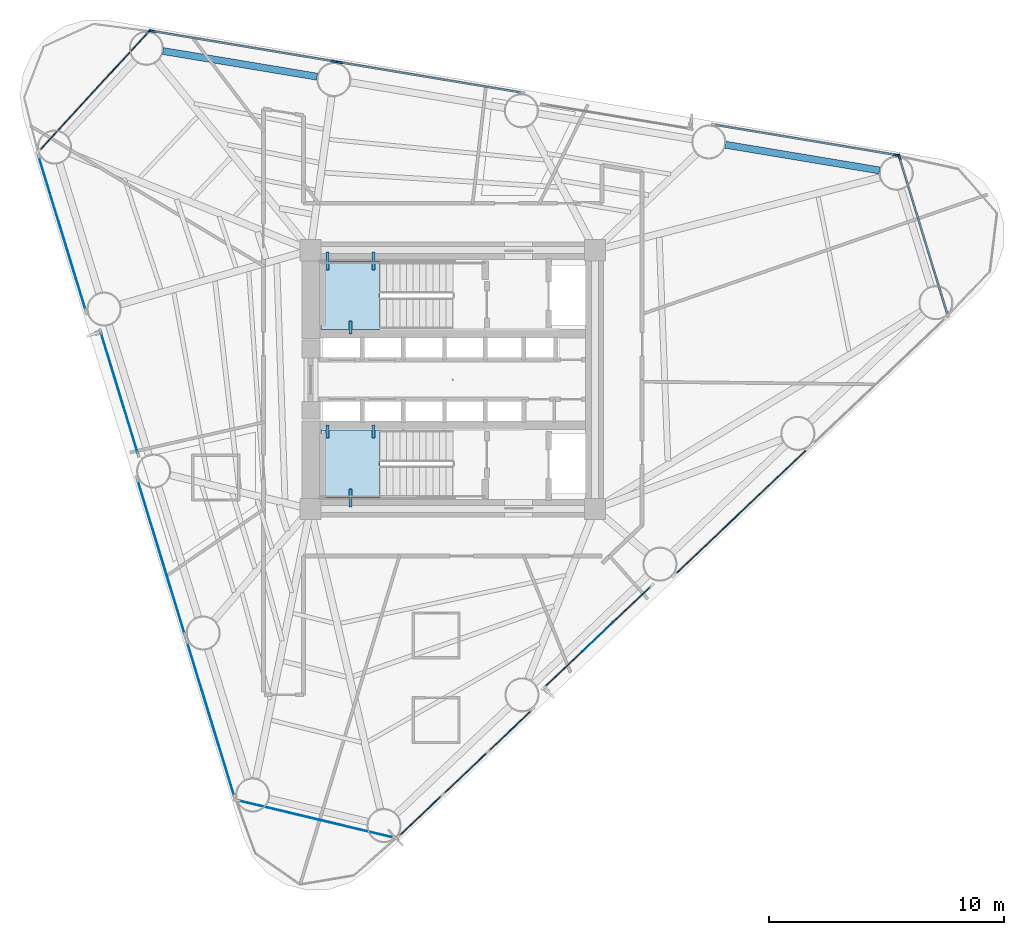
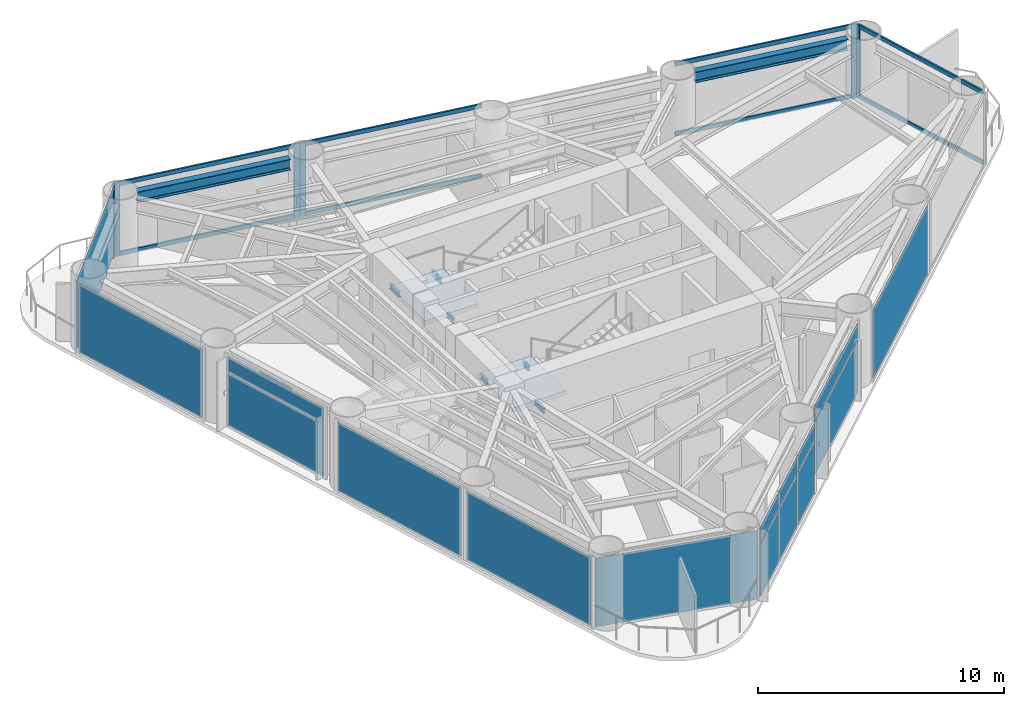
# One storey, part 4 of 10: 18 plates, 14 members, 8 beams, 2 slabs, 15 elements without a shape of their own.
"""IFC4 building model written with IfcOpenShell, lengths in metres."""

from ifc_helpers import new_model, si_unit, direction, frame, origin, origin_2d, place, context, subcontext, project, spatial, polyline, rectangle, i_section, outline, extrude, source, transform, mapped, material, layer, layer_set, material_profile, profile_set, type_object, element, aggregate, save


model = new_model("IFC4")

# Units and contexts
model_context = context("Model", 3, precision=1e-05, world=origin(), true_north=direction((0.0, 1.0)))
body_context = subcontext(model_context, "Body", "Model", "MODEL_VIEW")
ifc_project = project(units=[si_unit("LENGTHUNIT", "METRE"), si_unit("AREAUNIT", "SQUARE_METRE"), si_unit("VOLUMEUNIT", "CUBIC_METRE"), si_unit("PLANEANGLEUNIT", "RADIAN"), si_unit("MASSUNIT", "GRAM", prefix="KILO")], contexts=[model_context])

# Site, building, storey
site_placement = place(None, origin())
site = spatial("IfcSite", under=ifc_project, at=site_placement, CompositionType="ELEMENT")
building_placement = place(site_placement, origin())
building = spatial("IfcBuilding", under=site, at=building_placement, Name="Yunling Apex Tower", CompositionType="ELEMENT")
storey_placement = place(building_placement, frame((0.0, 0.0, 89.89990234375)))
storey = spatial("IfcBuildingStorey", under=building, at=storey_placement, Name="L22", CompositionType="ELEMENT", Elevation=89.89990234375)

# Beams
ifc_material_1 = material(Name="Steel Q355B", Category="steel")
ifc_material_profile_1 = material_profile(ifc_material_1, i_section(OverallWidth=0.125, OverallDepth=0.25, WebThickness=0.006103515625, FlangeThickness=0.009033203125, FilletRadius=0.011962890625, at=origin_2d()))
ifc_profile_set_1 = profile_set([ifc_material_profile_1], Name="Steel Q355B")
beam_type_1 = type_object("IfcBeamType", Name="BL-LNT-1", PredefinedType="LINTEL", material=ifc_profile_set_1)
shared_shape_1 = source(origin(), body_context, "Body", "SweptSolid", [
    extrude(i_section(OverallWidth=0.125, OverallDepth=0.25, WebThickness=0.006103515625, FlangeThickness=0.009033203125, FilletRadius=0.011962890625, at=origin_2d()), origin(), (0.0, 0.0, 1.0), 0.760009765625),
])
for number, where, z_axis, x_axis, name in (
    (1, (-5.320068359375, 5.419921875, 1.55517578125), (0.0, -1.0, 0.0), (1.0, 0.0, 0.0), "L22 ST-1 Landing Bearing Corbel 1-1"),
    (2, (-3.3701171875, 5.419921875, 1.55517578125), (0.0, -1.0, 0.0), (1.0, 0.0, 0.0), "L22 ST-1 Landing Bearing Corbel 1-2"),
    (3, (-4.344970703125, -5.419921875, 1.55517578125), (0.0, 1.0, 0.0), (-1.0, 0.0, 0.0), "L22 ST-2 Landing Bearing Corbel 1-3"),
):
    element("IfcBeam", number, at=place(storey_placement, frame(where, z_axis=z_axis, x_axis=x_axis)), inside=storey, type_object=beam_type_1, Name=name, PredefinedType="LINTEL", context=body_context, shape_type="MappedRepresentation", body=[
        mapped(shared_shape_1, transform((0.0, 0.0, 0.0), scale=1.0)),
    ])
shared_shape_2 = source(origin(), body_context, "Body", "SweptSolid", [
    extrude(i_section(OverallWidth=0.125, OverallDepth=0.25, WebThickness=0.006103515625, FlangeThickness=0.009033203125, FilletRadius=0.011962890625, at=origin_2d()), origin(), (0.0, 0.0, 1.0), 0.550048828125),
])
for number, where, z_axis, x_axis, name in (
    (4, (-4.344970703125, 1.93994140625, 1.55517578125), (0.0, 1.0, 0.0), (-1.0, 0.0, 0.0), "L22 ST-1 Landing Bearing Corbel 1-3"),
    (5, (-5.320068359375, -1.93994140625, 1.55517578125), (0.0, -1.0, 0.0), (1.0, 0.0, 0.0), "L22 ST-2 Landing Bearing Corbel 1-1"),
    (6, (-3.3701171875, -1.93994140625, 1.55517578125), (0.0, -1.0, 0.0), (1.0, 0.0, 0.0), "L22 ST-2 Landing Bearing Corbel 1-2"),
):
    element("IfcBeam", number, at=place(storey_placement, frame(where, z_axis=z_axis, x_axis=x_axis)), inside=storey, type_object=beam_type_1, Name=name, PredefinedType="LINTEL", context=body_context, shape_type="MappedRepresentation", body=[
        mapped(shared_shape_2, transform((0.0, 0.0, 0.0), scale=1.0)),
    ])
ifc_material_profile_2 = material_profile(ifc_material_1, i_section(OverallWidth=0.300048828125, OverallDepth=0.5400390625, WebThickness=0.011962890625, FlangeThickness=0.02001953125, FilletRadius=0.02392578125, at=origin_2d()))
ifc_profile_set_2 = profile_set([ifc_material_profile_2], Name="Steel Q355B")
beam_type_2 = type_object("IfcBeamType", Name="BP-SPN-1", PredefinedType="SPANDREL", material=ifc_profile_set_2)
shared_shape_3 = source(origin(), body_context, "Body", "SweptSolid", [
    extrude(i_section(OverallWidth=0.300048828125, OverallDepth=0.5400390625, WebThickness=0.011962890625, FlangeThickness=0.02001953125, FilletRadius=0.02392578125, at=origin_2d()), origin(), (0.0, 0.0, 1.0), 6.641845703125),
])
for number, where, z_axis, x_axis, name in (
    (7, (18.14599609375, 8.89111328125, 3.295166015625), (-0.986396904036, 0.164381105081, 0.0), (-0.164381105081, -0.986396904036, 0.0), "L22 Perimeter Spandrel Beam 6"),
    (8, (-5.763671875, 12.875244140625, 3.295166015625), (-0.986402863526, 0.164345340146, 0.0), (-0.164345340146, -0.986402863526, 0.0), "L22 Perimeter Spandrel Beam 9"),
):
    element("IfcBeam", number, at=place(storey_placement, frame(where, z_axis=z_axis, x_axis=x_axis)), inside=storey, type_object=beam_type_2, Name=name, PredefinedType="SPANDREL", context=body_context, shape_type="MappedRepresentation", body=[
        mapped(shared_shape_3, transform((0.0, 0.0, 0.0), scale=1.0)),
    ])

# Curtain wall, member
ifc_material_2 = material(Name="Bronze anodised aluminium", Category="aluminium")
ifc_layer_1 = layer(ifc_material_2, 0.260009765625)
ifc_layer_set_1 = layer_set([ifc_layer_1], Name="Bronze anodised aluminium")
curtain_wall_type = type_object("IfcCurtainWallType", Name="CW-SYS-2", PredefinedType="NOTDEFINED", material=ifc_layer_set_1)
curtain_wall_1_placement = place(storey_placement, origin())
curtain_wall_1 = element("IfcCurtainWall", 9, at=curtain_wall_1_placement, inside=storey, type_object=curtain_wall_type, Name="CW-L22-CRN1", PredefinedType="NOTDEFINED")
ifc_material_profile_3 = material_profile(ifc_material_2, rectangle(XDim=0.0849609375, YDim=0.260009765625, at=origin_2d()))
ifc_profile_set_3 = profile_set([ifc_material_profile_3], Name="Bronze anodised aluminium")
member_type_1 = type_object("IfcMemberType", Name="CW-MUL-2", PredefinedType="MULLION", material=ifc_profile_set_3)
shared_shape_4 = source(origin(), body_context, "Body", "SweptSolid", [
    extrude(rectangle(XDim=0.0849609375, YDim=0.260009765625, at=origin_2d()), origin(), (0.0, 0.0, 1.0), 3.664794921875),
])
member_1_placement = place(storey_placement, frame((18.9892578125, 9.46240234375, -0.0498046875), z_axis=(0.0, 0.0, 1.0), x_axis=(-0.95630374567, -0.292375009223, 0.0)))
member_1 = element("IfcMember", 10, at=member_1_placement, type_object=member_type_1, Name="CW-SYS-2 mullion 2", PredefinedType="MULLION", context=body_context, shape_type="MappedRepresentation", body=[
    mapped(shared_shape_4, transform((0.0, 0.0, 0.0), scale=1.0)),
])

curtain_wall_2_placement = place(storey_placement, origin())
curtain_wall_2 = element("IfcCurtainWall", 11, at=curtain_wall_2_placement, inside=storey, type_object=curtain_wall_type, Name="CW-L22-F2-B1", PredefinedType="NOTDEFINED")
member_2_placement = place(storey_placement, frame((18.859375, 9.54296875, -0.0498046875), z_axis=(0.0, 0.0, 1.0), x_axis=(-0.16436008369, -0.98640040698, 0.0)))
member_2 = element("IfcMember", 12, at=member_2_placement, type_object=member_type_1, Name="CW-SYS-2 mullion 1", PredefinedType="MULLION", context=body_context, shape_type="MappedRepresentation", body=[
    mapped(shared_shape_4, transform((0.0, 0.0, 0.0), scale=1.0)),
])

curtain_wall_3_placement = place(storey_placement, origin())
curtain_wall_3 = element("IfcCurtainWall", 13, at=curtain_wall_3_placement, inside=storey, type_object=curtain_wall_type, Name="CW-L22-F2-B3", PredefinedType="NOTDEFINED")
member_3_placement = place(storey_placement, frame((-4.80859375, 13.486572265625, -0.0498046875), z_axis=(0.0, 0.0, 1.0), x_axis=(-0.164362130784, -0.986400065878, 0.0)))
member_3 = element("IfcMember", 14, at=member_3_placement, type_object=member_type_1, Name="CW-SYS-2 mullion 2", PredefinedType="MULLION", context=body_context, shape_type="MappedRepresentation", body=[
    mapped(shared_shape_4, transform((0.0, 0.0, 0.0), scale=1.0)),
])

# Curtain wall, members
curtain_wall_4_placement = place(storey_placement, origin())
curtain_wall_4 = element("IfcCurtainWall", 15, at=curtain_wall_4_placement, inside=storey, type_object=curtain_wall_type, Name="CW-L22-F2-B4", PredefinedType="NOTDEFINED")
member_4_placement = place(storey_placement, frame((-5.05029296875, 13.52685546875, -0.0498046875), z_axis=(0.0, 0.0, 1.0), x_axis=(-0.16436008369, -0.98640040698, 0.0)))
member_4 = element("IfcMember", 16, at=member_4_placement, type_object=member_type_1, Name="CW-SYS-2 mullion 1", PredefinedType="MULLION", context=body_context, shape_type="MappedRepresentation", body=[
    mapped(shared_shape_4, transform((0.0, 0.0, 0.0), scale=1.0)),
])
member_5_placement = place(storey_placement, frame((-12.778564453125, 14.814697265625, -0.0498046875), z_axis=(0.0, 0.0, 1.0), x_axis=(-0.16436008369, -0.98640040698, 0.0)))
member_5 = element("IfcMember", 17, at=member_5_placement, type_object=member_type_1, Name="CW-SYS-2 mullion 2", PredefinedType="MULLION", context=body_context, shape_type="MappedRepresentation", body=[
    mapped(shared_shape_4, transform((0.0, 0.0, 0.0), scale=1.0)),
])

# Curtain wall, member
curtain_wall_5_placement = place(storey_placement, origin())
curtain_wall_5 = element("IfcCurtainWall", 18, at=curtain_wall_5_placement, inside=storey, type_object=curtain_wall_type, Name="CW-L22-CRN2", PredefinedType="NOTDEFINED")
member_6_placement = place(storey_placement, frame((-12.931396484375, 14.78369140625, -0.0498046875), z_axis=(0.0, 0.0, 1.0), x_axis=(0.736184624933, -0.676780760669, 0.0)))
member_6 = element("IfcMember", 19, at=member_6_placement, type_object=member_type_1, Name="CW-SYS-2 mullion 1", PredefinedType="MULLION", context=body_context, shape_type="MappedRepresentation", body=[
    mapped(shared_shape_4, transform((0.0, 0.0, 0.0), scale=1.0)),
])

# Member
ifc_material_profile_4 = material_profile(ifc_material_2, rectangle(XDim=0.0849609375, YDim=0.199951171875, at=origin_2d()))
ifc_profile_set_4 = profile_set([ifc_material_profile_4], Name="Bronze anodised aluminium")
member_type_2 = type_object("IfcMemberType", Name="CW-TRN-2", PredefinedType="USERDEFINED", material=ifc_profile_set_4)
shared_shape_5 = source(origin(), body_context, "Body", "SweptSolid", [
    extrude(rectangle(XDim=0.0849609375, YDim=0.199951171875, at=origin_2d()), origin(), (0.0, 0.0, 1.0), 7.75830078125),
])
member_7_placement = place(storey_placement, frame((18.821533203125, 9.549072265625, 0.04248046875), z_axis=(-0.986400726912, 0.164358163615, 0.0), x_axis=(-0.164358163615, -0.986400726912, 0.0)))
member_7 = element("IfcMember", 20, at=member_7_placement, type_object=member_type_2, Name="CW-SYS-2 transom 1.1", ObjectType="TRANSOM", PredefinedType="USERDEFINED", context=body_context, shape_type="MappedRepresentation", body=[
    mapped(shared_shape_5, transform((0.0, 0.0, 0.0), scale=1.0)),
])

member_8_placement = place(storey_placement, frame((18.821533203125, 9.549072265625, 3.522705078125), z_axis=(-0.986400726912, 0.164358163615, 0.0), x_axis=(-0.164358163615, -0.986400726912, 0.0)))
member_8 = element("IfcMember", 21, at=member_8_placement, type_object=member_type_2, Name="CW-SYS-2 transom 1.2", ObjectType="TRANSOM", PredefinedType="USERDEFINED", context=body_context, shape_type="MappedRepresentation", body=[
    mapped(shared_shape_5, transform((0.0, 0.0, 0.0), scale=1.0)),
])

aggregate(curtain_wall_2, [member_2, member_7, member_8])

member_9_placement = place(storey_placement, frame((2.8818359375, 12.205078125, 0.04248046875), z_axis=(-0.986400726912, 0.164358163615, 0.0), x_axis=(-0.164358163615, -0.986400726912, 0.0)))
member_9 = element("IfcMember", 22, at=member_9_placement, type_object=member_type_2, Name="CW-SYS-2 transom 1.1", ObjectType="TRANSOM", PredefinedType="USERDEFINED", context=body_context, shape_type="MappedRepresentation", body=[
    mapped(shared_shape_5, transform((0.0, 0.0, 0.0), scale=1.0)),
])

member_10_placement = place(storey_placement, frame((2.8818359375, 12.205078125, 3.522705078125), z_axis=(-0.986400726912, 0.164358163615, 0.0), x_axis=(-0.164358163615, -0.986400726912, 0.0)))
member_10 = element("IfcMember", 23, at=member_10_placement, type_object=member_type_2, Name="CW-SYS-2 transom 1.2", ObjectType="TRANSOM", PredefinedType="USERDEFINED", context=body_context, shape_type="MappedRepresentation", body=[
    mapped(shared_shape_5, transform((0.0, 0.0, 0.0), scale=1.0)),
])

aggregate(curtain_wall_3, [member_3, member_9, member_10])

member_11_placement = place(storey_placement, frame((-5.088134765625, 13.533203125, 0.04248046875), z_axis=(-0.986400726912, 0.164358163615, 0.0), x_axis=(-0.164358163615, -0.986400726912, 0.0)))
member_11 = element("IfcMember", 24, at=member_11_placement, type_object=member_type_2, Name="CW-SYS-2 transom 1.1", ObjectType="TRANSOM", PredefinedType="USERDEFINED", context=body_context, shape_type="MappedRepresentation", body=[
    mapped(shared_shape_5, transform((0.0, 0.0, 0.0), scale=1.0)),
])

member_12_placement = place(storey_placement, frame((-5.088134765625, 13.533203125, 3.522705078125), z_axis=(-0.986400726912, 0.164358163615, 0.0), x_axis=(-0.164358163615, -0.986400726912, 0.0)))
member_12 = element("IfcMember", 25, at=member_12_placement, type_object=member_type_2, Name="CW-SYS-2 transom 1.2", ObjectType="TRANSOM", PredefinedType="USERDEFINED", context=body_context, shape_type="MappedRepresentation", body=[
    mapped(shared_shape_5, transform((0.0, 0.0, 0.0), scale=1.0)),
])

aggregate(curtain_wall_4, [member_4, member_5, member_11, member_12])

shared_shape_6 = source(origin(), body_context, "Body", "SweptSolid", [
    extrude(rectangle(XDim=0.0849609375, YDim=0.199951171875, at=origin_2d()), origin(), (0.0, 0.0, 1.0), 6.91748046875),
])
member_13_placement = place(storey_placement, frame((21.02294921875, 2.810546875, 0.04248046875), z_axis=(-0.292369169584, 0.956305531029, 0.0), x_axis=(-0.956305531029, -0.292369169584, 0.0)))
member_13 = element("IfcMember", 26, at=member_13_placement, type_object=member_type_2, Name="CW-SYS-2 transom 1.1", ObjectType="TRANSOM", PredefinedType="USERDEFINED", context=body_context, shape_type="MappedRepresentation", body=[
    mapped(shared_shape_6, transform((0.0, 0.0, 0.0), scale=1.0)),
])

member_14_placement = place(storey_placement, frame((21.02294921875, 2.810546875, 3.522705078125), z_axis=(-0.292369169584, 0.956305531029, 0.0), x_axis=(-0.956305531029, -0.292369169584, 0.0)))
member_14 = element("IfcMember", 27, at=member_14_placement, type_object=member_type_2, Name="CW-SYS-2 transom 1.2", ObjectType="TRANSOM", PredefinedType="USERDEFINED", context=body_context, shape_type="MappedRepresentation", body=[
    mapped(shared_shape_6, transform((0.0, 0.0, 0.0), scale=1.0)),
])

aggregate(curtain_wall_1, [member_1, member_13, member_14])

# Stair, slab
ifc_material_3 = material(Name="Concrete C40", Category="concrete")
stair_type = type_object("IfcStairType", Name="ST-TWR-1", PredefinedType="HALF_TURN_STAIR", material=ifc_material_3)
stair_1_placement = place(storey_placement, origin())
stair_1 = element("IfcStair", 28, at=stair_1_placement, inside=storey, type_object=stair_type, Name="L22 North Core Smokeproof Exit Stair ST-1", PredefinedType="HALF_TURN_STAIR")
ifc_layer_2 = layer(ifc_material_3, 0.195068359375)
ifc_layer_set_2 = layer_set([ifc_layer_2], Name="Concrete C40")
slab_type = type_object("IfcSlabType", Name="SL-LND-1", PredefinedType="LANDING", material=ifc_layer_set_2)
slab_1_placement = place(storey_placement, frame((0.0, 0.0, 1.68017578125)))
slab_1 = element("IfcSlab", 29, at=slab_1_placement, type_object=slab_type, Name="ST-1 landing 1", PredefinedType="LANDING", context=body_context, shape_type="SweptSolid", body=[
    extrude(outline(polyline([(-3.090087890625, 5.010009765625), (-5.60009765625, 5.010009765625), (-5.60009765625, 2.139892578125), (-3.090087890625, 2.139892578125), (-3.090087890625, 5.010009765625)])), origin(), (0.0, 0.0, 1.0), 0.19482421875),
])
aggregate(stair_1, [slab_1])

stair_2_placement = place(storey_placement, origin())
stair_2 = element("IfcStair", 30, at=stair_2_placement, inside=storey, type_object=stair_type, Name="L22 South Core Smokeproof Exit Stair ST-2", PredefinedType="HALF_TURN_STAIR")
slab_2_placement = place(storey_placement, frame((0.0, 0.0, 1.68017578125)))
slab_2 = element("IfcSlab", 31, at=slab_2_placement, type_object=slab_type, Name="ST-2 landing 1", PredefinedType="LANDING", context=body_context, shape_type="SweptSolid", body=[
    extrude(outline(polyline([(-3.090087890625, -2.139892578125), (-5.60009765625, -2.139892578125), (-5.60009765625, -5.010009765625), (-3.090087890625, -5.010009765625), (-3.090087890625, -2.139892578125)])), origin(), (0.0, 0.0, 1.0), 0.19482421875),
])
aggregate(stair_2, [slab_2])

# Plates
ifc_layer_3 = layer(ifc_material_2, 0.011962890625)
ifc_layer_set_3 = layer_set([ifc_layer_3], Name="Bronze anodised aluminium")
plate_type_1 = type_object("IfcPlateType", Name="SP-SHT-1", PredefinedType="SHEET", material=ifc_layer_set_3)
shared_shape_7 = source(origin(), body_context, "Body", "SweptSolid", [
    extrude(rectangle(XDim=1.800048828125, YDim=0.02392578125, at=origin_2d()), origin(), (0.0, 0.0, 1.0), 0.43994140625),
])
for number, where, z_axis, x_axis, name in (
    (32, (6.16455078125, -10.928466796875, 3.1650390625), (0.0, 0.0, 1.0), (0.725854756355, 0.687848001144, 0.0), "SP-GRV-L22-F1"),
    (33, (-14.17138671875, -0.56787109375, 3.1650390625), (0.0, 0.0, 1.0), (0.292371704723, -0.956304755963, 0.0), "SP-GRV-L22-F3"),
):
    element("IfcPlate", number, at=place(storey_placement, frame(where, z_axis=z_axis, x_axis=x_axis)), inside=storey, type_object=plate_type_1, Name=name, PredefinedType="SHEET", context=body_context, shape_type="MappedRepresentation", body=[
        mapped(shared_shape_7, transform((0.0, 0.0, 0.0), scale=1.0)),
    ])

# Curtain wall, plates
curtain_wall_6_placement = place(storey_placement, origin())
curtain_wall_6 = element("IfcCurtainWall", 34, at=curtain_wall_6_placement, inside=storey, type_object=curtain_wall_type, Name="CW-L22-F1-B1", PredefinedType="NOTDEFINED")
ifc_material_4 = material(Name="Bronze tinted low-E glass", Category="glass")
ifc_layer_4 = layer(ifc_material_4, 0.033935546875)
ifc_layer_set_4 = layer_set([ifc_layer_4], Name="Bronze tinted low-E glass")
plate_type_2 = type_object("IfcPlateType", Name="CW-PNL-2", PredefinedType="CURTAIN_PANEL", material=ifc_layer_set_4)
shared_shape_8 = source(origin(), body_context, "Body", "SweptSolid", [
    extrude(rectangle(XDim=2.52880859375, YDim=0.033935546875, at=origin_2d()), origin(), (0.0, 0.0, 1.0), 2.60400390625),
])
plate_1_placement = place(storey_placement, frame((-1.366943359375, -18.5341796875, 0.076904296875), z_axis=(0.0, 0.0, 1.0), x_axis=(0.72584218686, 0.687861264918, 0.0)))
plate_1 = element("IfcPlate", 35, at=plate_1_placement, type_object=plate_type_2, Name="CW-SYS-2 panel 1.1", PredefinedType="CURTAIN_PANEL", context=body_context, shape_type="MappedRepresentation", body=[
    mapped(shared_shape_8, transform((0.0, 0.0, 0.0), scale=1.0)),
])
plate_2_placement = place(storey_placement, frame((2.4345703125, -14.931640625, 0.076904296875), z_axis=(0.0, 0.0, 1.0), x_axis=(0.72584218686, 0.687861264918, 0.0)))
plate_2 = element("IfcPlate", 36, at=plate_2_placement, type_object=plate_type_2, Name="CW-SYS-2 panel 3.1", PredefinedType="CURTAIN_PANEL", context=body_context, shape_type="MappedRepresentation", body=[
    mapped(shared_shape_8, transform((0.0, 0.0, 0.0), scale=1.0)),
])
shared_shape_9 = source(origin(), body_context, "Body", "SweptSolid", [
    extrude(rectangle(XDim=2.52880859375, YDim=0.033935546875, at=origin_2d()), origin(), (0.0, 0.0, 1.0), 0.739013671875),
])
plate_3_placement = place(storey_placement, frame((-1.366943359375, -18.5341796875, 2.74951171875), z_axis=(0.0, 0.0, 1.0), x_axis=(0.72584218686, 0.687861264918, 0.0)))
plate_3 = element("IfcPlate", 37, at=plate_3_placement, type_object=plate_type_2, Name="CW-SYS-2 panel 1.2", PredefinedType="CURTAIN_PANEL", context=body_context, shape_type="MappedRepresentation", body=[
    mapped(shared_shape_9, transform((0.0, 0.0, 0.0), scale=1.0)),
])
plate_4_placement = place(storey_placement, frame((2.4345703125, -14.931640625, 2.74951171875), z_axis=(0.0, 0.0, 1.0), x_axis=(0.72584218686, 0.687861264918, 0.0)))
plate_4 = element("IfcPlate", 38, at=plate_4_placement, type_object=plate_type_2, Name="CW-SYS-2 panel 3.2", PredefinedType="CURTAIN_PANEL", context=body_context, shape_type="MappedRepresentation", body=[
    mapped(shared_shape_9, transform((0.0, 0.0, 0.0), scale=1.0)),
])
shared_shape_10 = source(origin(), body_context, "Body", "SweptSolid", [
    extrude(rectangle(XDim=2.571533203125, YDim=0.033935546875, at=origin_2d()), origin(), (0.0, 0.0, 1.0), 2.60400390625),
])
plate_5_placement = place(storey_placement, frame((0.53369140625, -16.73291015625, 0.076904296875), z_axis=(0.0, 0.0, 1.0), x_axis=(0.72584218686, 0.687861264918, 0.0)))
plate_5 = element("IfcPlate", 39, at=plate_5_placement, type_object=plate_type_2, Name="CW-SYS-2 panel 2.1", PredefinedType="CURTAIN_PANEL", context=body_context, shape_type="MappedRepresentation", body=[
    mapped(shared_shape_10, transform((0.0, 0.0, 0.0), scale=1.0)),
])
shared_shape_11 = source(origin(), body_context, "Body", "SweptSolid", [
    extrude(rectangle(XDim=2.571533203125, YDim=0.033935546875, at=origin_2d()), origin(), (0.0, 0.0, 1.0), 0.739013671875),
])
plate_6_placement = place(storey_placement, frame((0.53369140625, -16.73291015625, 2.74951171875), z_axis=(0.0, 0.0, 1.0), x_axis=(0.72584218686, 0.687861264918, 0.0)))
plate_6 = element("IfcPlate", 40, at=plate_6_placement, type_object=plate_type_2, Name="CW-SYS-2 panel 2.2", PredefinedType="CURTAIN_PANEL", context=body_context, shape_type="MappedRepresentation", body=[
    mapped(shared_shape_11, transform((0.0, 0.0, 0.0), scale=1.0)),
])
aggregate(curtain_wall_6, [plate_1, plate_3, plate_5, plate_6, plate_2, plate_4])

curtain_wall_7_placement = place(storey_placement, origin())
curtain_wall_7 = element("IfcCurtainWall", 41, at=curtain_wall_7_placement, inside=storey, type_object=curtain_wall_type, Name="CW-L22-F1-B2", PredefinedType="NOTDEFINED")
shared_shape_12 = source(origin(), body_context, "Body", "SweptSolid", [
    extrude(rectangle(XDim=6.236328125, YDim=0.033935546875, at=origin_2d()), origin(), (0.0, 0.0, 1.0), 2.60400390625),
])
plate_7_placement = place(storey_placement, frame((6.16455078125, -10.928466796875, 0.076904296875), z_axis=(0.0, 0.0, 1.0), x_axis=(0.725858092234, 0.687844480924, 0.0)))
plate_7 = element("IfcPlate", 42, at=plate_7_placement, type_object=plate_type_2, Name="CW-SYS-2 panel 1.1", PredefinedType="CURTAIN_PANEL", context=body_context, shape_type="MappedRepresentation", body=[
    mapped(shared_shape_12, transform((0.0, 0.0, 0.0), scale=1.0)),
])
shared_shape_13 = source(origin(), body_context, "Body", "SweptSolid", [
    extrude(rectangle(XDim=6.236328125, YDim=0.033935546875, at=origin_2d()), origin(), (0.0, 0.0, 1.0), 0.739013671875),
])
plate_8_placement = place(storey_placement, frame((6.16455078125, -10.928466796875, 2.74951171875), z_axis=(0.0, 0.0, 1.0), x_axis=(0.725858092234, 0.687844480924, 0.0)))
plate_8 = element("IfcPlate", 43, at=plate_8_placement, type_object=plate_type_2, Name="CW-SYS-2 panel 1.2", PredefinedType="CURTAIN_PANEL", context=body_context, shape_type="MappedRepresentation", body=[
    mapped(shared_shape_13, transform((0.0, 0.0, 0.0), scale=1.0)),
])
aggregate(curtain_wall_7, [plate_7, plate_8])

# Curtain wall, plate
curtain_wall_8_placement = place(storey_placement, origin())
curtain_wall_8 = element("IfcCurtainWall", 44, at=curtain_wall_8_placement, inside=storey, type_object=curtain_wall_type, Name="CW-L22-F1-B3", PredefinedType="NOTDEFINED")
shared_shape_14 = source(origin(), body_context, "Body", "SweptSolid", [
    extrude(rectangle(XDim=7.766357421875, YDim=0.033935546875, at=origin_2d()), origin(), (0.0, 0.0, 1.0), 3.41162109375),
])
plate_9_placement = place(storey_placement, frame((12.26318359375, -5.61767578125, 0.076904296875), z_axis=(0.0, 0.0, 1.0), x_axis=(0.72584218686, 0.687861264918, 0.0)))
plate_9 = element("IfcPlate", 45, at=plate_9_placement, type_object=plate_type_2, Name="CW-SYS-2 panel 1.1", PredefinedType="CURTAIN_PANEL", context=body_context, shape_type="MappedRepresentation", body=[
    mapped(shared_shape_14, transform((0.0, 0.0, 0.0), scale=1.0)),
])
aggregate(curtain_wall_8, [plate_9])

# Plate
shared_shape_15 = source(origin(), body_context, "Body", "SweptSolid", [
    extrude(rectangle(XDim=6.83935546875, YDim=0.033935546875, at=origin_2d()), origin(), (0.0, 0.0, 1.0), 3.41162109375),
])
plate_10_placement = place(storey_placement, frame((-15.26904296875, 12.240966796875, 0.076904296875), z_axis=(0.0, 0.0, 1.0), x_axis=(-0.676780760669, -0.736184624933, 0.0)))
plate_10 = element("IfcPlate", 46, at=plate_10_placement, type_object=plate_type_2, Name="CW-SYS-2 panel 1.1", PredefinedType="CURTAIN_PANEL", context=body_context, shape_type="MappedRepresentation", body=[
    mapped(shared_shape_15, transform((0.0, 0.0, 0.0), scale=1.0)),
])

aggregate(curtain_wall_5, [member_6, plate_10])

# Curtain wall, plate
curtain_wall_9_placement = place(storey_placement, origin())
curtain_wall_9 = element("IfcCurtainWall", 47, at=curtain_wall_9_placement, inside=storey, type_object=curtain_wall_type, Name="CW-L22-CRN3", PredefinedType="NOTDEFINED")
plate_11_placement = place(storey_placement, frame((-5.8134765625, -18.6865234375, 0.076904296875), z_axis=(0.0, 0.0, 1.0), x_axis=(0.972740811528, -0.23189504865, 0.0)))
plate_11 = element("IfcPlate", 48, at=plate_11_placement, type_object=plate_type_2, Name="CW-SYS-2 panel 1.1", PredefinedType="CURTAIN_PANEL", context=body_context, shape_type="MappedRepresentation", body=[
    mapped(shared_shape_15, transform((0.0, 0.0, 0.0), scale=1.0)),
])
aggregate(curtain_wall_9, [plate_11])

curtain_wall_10_placement = place(storey_placement, origin())
curtain_wall_10 = element("IfcCurtainWall", 49, at=curtain_wall_10_placement, inside=storey, type_object=curtain_wall_type, Name="CW-L22-F3-B1", PredefinedType="NOTDEFINED")
shared_shape_16 = source(origin(), body_context, "Body", "SweptSolid", [
    extrude(rectangle(XDim=6.88671875, YDim=0.033935546875, at=origin_2d()), origin(), (0.0, 0.0, 1.0), 3.41162109375),
])
plate_12_placement = place(storey_placement, frame((-16.601806640625, 6.21826171875, 0.076904296875), z_axis=(0.0, 0.0, 1.0), x_axis=(0.292372619321, -0.956304476342, 0.0)))
plate_12 = element("IfcPlate", 50, at=plate_12_placement, type_object=plate_type_2, Name="CW-SYS-2 panel 1.1", PredefinedType="CURTAIN_PANEL", context=body_context, shape_type="MappedRepresentation", body=[
    mapped(shared_shape_16, transform((0.0, 0.0, 0.0), scale=1.0)),
])
aggregate(curtain_wall_10, [plate_12])

curtain_wall_11_placement = place(storey_placement, origin())
curtain_wall_11 = element("IfcCurtainWall", 51, at=curtain_wall_11_placement, inside=storey, type_object=curtain_wall_type, Name="CW-L22-F3-B3", PredefinedType="NOTDEFINED")
plate_13_placement = place(storey_placement, frame((-12.3916015625, -7.552978515625, 0.076904296875), z_axis=(0.0, 0.0, 1.0), x_axis=(0.292372619321, -0.956304476342, 0.0)))
plate_13 = element("IfcPlate", 52, at=plate_13_placement, type_object=plate_type_2, Name="CW-SYS-2 panel 1.1", PredefinedType="CURTAIN_PANEL", context=body_context, shape_type="MappedRepresentation", body=[
    mapped(shared_shape_16, transform((0.0, 0.0, 0.0), scale=1.0)),
])
aggregate(curtain_wall_11, [plate_13])

curtain_wall_12_placement = place(storey_placement, origin())
curtain_wall_12 = element("IfcCurtainWall", 53, at=curtain_wall_12_placement, inside=storey, type_object=curtain_wall_type, Name="CW-L22-F3-B4", PredefinedType="NOTDEFINED")
plate_14_placement = place(storey_placement, frame((-10.286376953125, -14.438720703125, 0.076904296875), z_axis=(0.0, 0.0, 1.0), x_axis=(0.292372619321, -0.956304476342, 0.0)))
plate_14 = element("IfcPlate", 54, at=plate_14_placement, type_object=plate_type_2, Name="CW-SYS-2 panel 1.1", PredefinedType="CURTAIN_PANEL", context=body_context, shape_type="MappedRepresentation", body=[
    mapped(shared_shape_16, transform((0.0, 0.0, 0.0), scale=1.0)),
])
aggregate(curtain_wall_12, [plate_14])

# Curtain wall, plates
curtain_wall_13_placement = place(storey_placement, origin())
curtain_wall_13 = element("IfcCurtainWall", 55, at=curtain_wall_13_placement, inside=storey, type_object=curtain_wall_type, Name="CW-L22-F3-B2", PredefinedType="NOTDEFINED")
shared_shape_17 = source(origin(), body_context, "Body", "SweptSolid", [
    extrude(rectangle(XDim=5.356689453125, YDim=0.033935546875, at=origin_2d()), origin(), (0.0, 0.0, 1.0), 2.60400390625),
])
plate_15_placement = place(storey_placement, frame((-14.17138671875, -0.56787109375, 0.076904296875), z_axis=(0.0, 0.0, 1.0), x_axis=(0.292363767199, -0.956307182672, 0.0)))
plate_15 = element("IfcPlate", 56, at=plate_15_placement, type_object=plate_type_2, Name="CW-SYS-2 panel 1.1", PredefinedType="CURTAIN_PANEL", context=body_context, shape_type="MappedRepresentation", body=[
    mapped(shared_shape_17, transform((0.0, 0.0, 0.0), scale=1.0)),
])
shared_shape_18 = source(origin(), body_context, "Body", "SweptSolid", [
    extrude(rectangle(XDim=5.356689453125, YDim=0.033935546875, at=origin_2d()), origin(), (0.0, 0.0, 1.0), 0.739013671875),
])
plate_16_placement = place(storey_placement, frame((-14.17138671875, -0.56787109375, 2.74951171875), z_axis=(0.0, 0.0, 1.0), x_axis=(0.292363767199, -0.956307182672, 0.0)))
plate_16 = element("IfcPlate", 57, at=plate_16_placement, type_object=plate_type_2, Name="CW-SYS-2 panel 1.2", PredefinedType="CURTAIN_PANEL", context=body_context, shape_type="MappedRepresentation", body=[
    mapped(shared_shape_18, transform((0.0, 0.0, 0.0), scale=1.0)),
])
aggregate(curtain_wall_13, [plate_15, plate_16])

save(model, "model.ifc")
